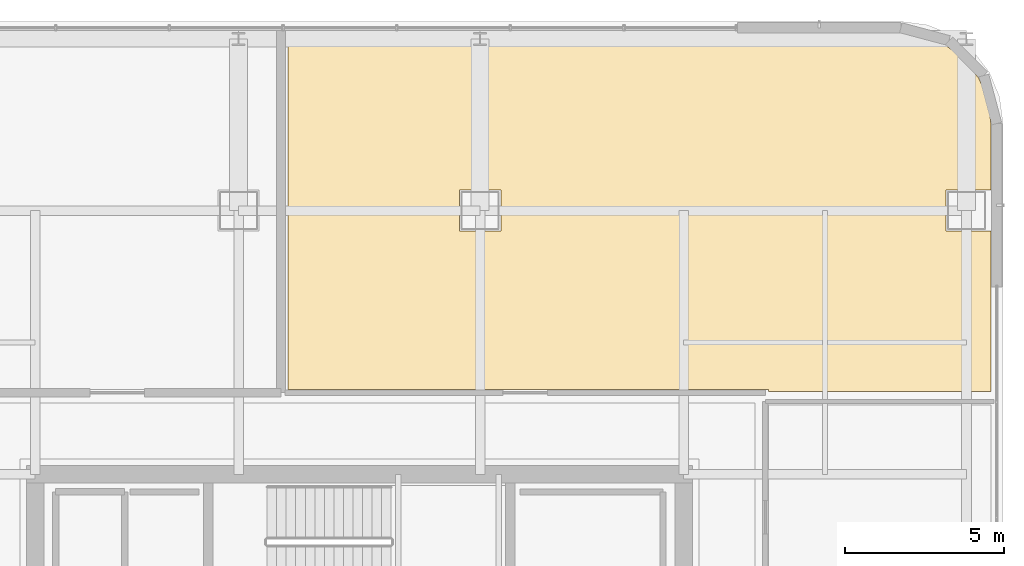
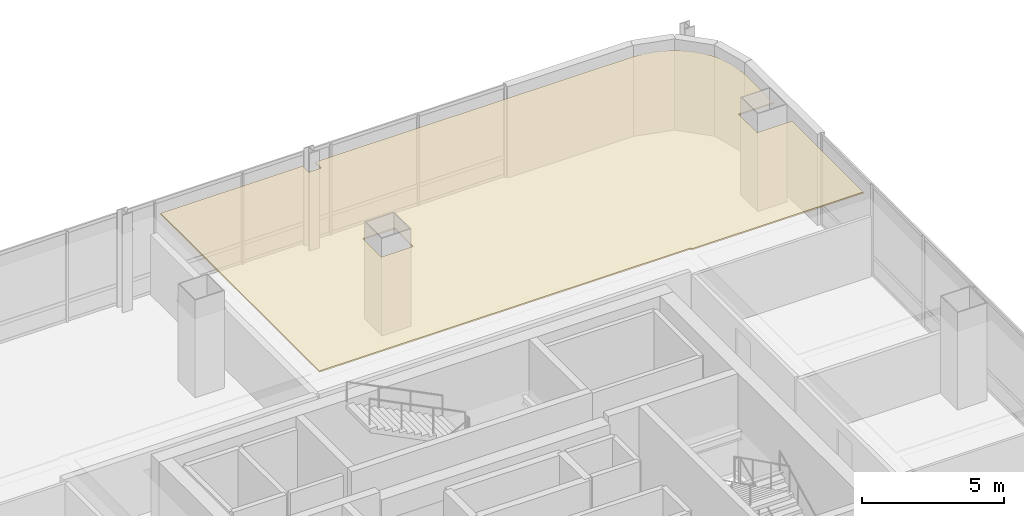
# One storey, part 50 of 51: 1 covering.
"""IFC4 building model written with IfcOpenShell, lengths in metres."""

import ifcopenshell
import ifcopenshell.guid

model = None  # the IFC model being written
_history = None  # IfcOwnerHistory: only IFC2X3 demands one
_inside = {}  # id of a spatial element -> (the spatial element, [elements in it])
_under = {}  # id of a project, library or spatial element -> (it, [spatial elements below it])
_declared = {}  # id of a project -> (the project, [libraries it declares])
_typed = {}  # id of a type object -> (the type object, [elements of that type])
_made_of = {}  # id of a material, layer set ... -> (it, [elements and type objects made of it])


def new_model(schema):
    """Start an empty IFC model of exactly this schema.

    Asked for "IFC4X3", IfcOpenShell would pick the latest addendum, in which some entities
    have other attributes; the version numbers below select the first issue.
    IFC2X3 requires an IfcOwnerHistory on every rooted entity: one is made here for all.
    """
    global model, _history
    if schema == "IFC4X3":
        model = ifcopenshell.file(schema_version=(4, 3, 0, 0))
    else:
        model = ifcopenshell.file(schema=schema)
    _inside.clear()
    _under.clear()
    _declared.clear()
    _typed.clear()
    _made_of.clear()
    _history = None
    if model.schema == "IFC2X3":
        org = make("IfcOrganization", Name="unknown")
        user = make(
            "IfcPersonAndOrganization",
            ThePerson=make("IfcPerson", FamilyName="unknown"),
            TheOrganization=org,
        )
        app = make(
            "IfcApplication",
            ApplicationDeveloper=org,
            Version="unknown",
            ApplicationFullName="unknown",
            ApplicationIdentifier="unknown",
        )
        _history = make(
            "IfcOwnerHistory",
            OwningUser=user,
            OwningApplication=app,
            ChangeAction="ADDED",
            CreationDate=0,
        )
    return model


def make(cls, **values):
    """One entity of the class cls with the attributes given. An attribute that is None is left unset."""
    return model.create_entity(
        cls, **{name: value for name, value in values.items() if value is not None}
    )


def rooted(cls, **values):
    """An entity with a GlobalId (a new one), such as an element, a storey or a relation."""
    return make(cls, GlobalId=ifcopenshell.guid.new(), OwnerHistory=_history, **values)


def si_unit(unit_type, name, prefix=None):
    """IfcSIUnit, for example si_unit("LENGTHUNIT", "METRE", prefix="MILLI")."""
    return make("IfcSIUnit", UnitType=unit_type, Prefix=prefix, Name=name)


def assignment(units):
    """IfcUnitAssignment: the units of a project."""
    return None if units is None else make("IfcUnitAssignment", Units=units)


def point(xyz):
    """IfcCartesianPoint."""
    return None if xyz is None else make("IfcCartesianPoint", Coordinates=xyz)


def direction(xyz):
    """IfcDirection."""
    return None if xyz is None else make("IfcDirection", DirectionRatios=xyz)


def frame(location, z_axis=None, x_axis=None):
    """IfcAxis2Placement3D, a coordinate frame: its origin and axes. An axis left out is left unset."""
    return make(
        "IfcAxis2Placement3D",
        Location=point(location),
        Axis=direction(z_axis),
        RefDirection=direction(x_axis),
    )


def origin():
    """The frame at (0, 0, 0) with its axes left unset."""
    return frame((0.0, 0.0, 0.0))


def place(relative_to, where):
    """IfcLocalPlacement: puts the frame where relative to a parent placement (None: the world)."""
    return make(
        "IfcLocalPlacement", PlacementRelTo=relative_to, RelativePlacement=where
    )


def context(
    kind, dimensions, precision=None, world=None, true_north=None, identifier=None
):
    """IfcGeometricRepresentationContext, for example the 3D "Model" context."""
    return make(
        "IfcGeometricRepresentationContext",
        ContextIdentifier=identifier,
        ContextType=kind,
        CoordinateSpaceDimension=dimensions,
        Precision=precision,
        WorldCoordinateSystem=world,
        TrueNorth=true_north,
    )


def subcontext(parent, identifier, kind, view, scale=None):
    """IfcGeometricRepresentationSubContext, for example "Body" below "Model"."""
    return make(
        "IfcGeometricRepresentationSubContext",
        ContextIdentifier=identifier,
        ContextType=kind,
        ParentContext=parent,
        TargetScale=scale,
        TargetView=view,
    )


def project(units=None, contexts=None):
    """IfcProject with its units and contexts."""
    return rooted(
        "IfcProject",
        Name="project",
        RepresentationContexts=contexts,
        UnitsInContext=assignment(units),
    )


def spatial(cls, under=None, at=None, **own):
    """A site, building, storey or space (cls), placed at a placement, below another one or the project."""
    s = rooted(cls, ObjectPlacement=at, **own)
    if under is not None:
        _under.setdefault(under.id(), (under, []))[1].append(s)
    return s


def polyline(points):
    """IfcPolyline through the points."""
    return make("IfcPolyline", Points=[point(p) for p in points])


def outline(outer, holes=None, kind="AREA"):
    """IfcArbitraryClosedProfileDef: a profile drawn as a closed curve; with holes, ...WithVoids."""
    if holes is None:
        return make("IfcArbitraryClosedProfileDef", ProfileType=kind, OuterCurve=outer)
    return make(
        "IfcArbitraryProfileDefWithVoids",
        ProfileType=kind,
        OuterCurve=outer,
        InnerCurves=holes,
    )


def extrude(swept, where, along, depth):
    """IfcExtrudedAreaSolid: the profile swept, set in the frame where, extruded along a direction by depth."""
    return make(
        "IfcExtrudedAreaSolid",
        SweptArea=swept,
        Position=where,
        ExtrudedDirection=direction(along),
        Depth=depth,
    )


def shape(context_of_items, identifier, shape_type, items):
    """IfcShapeRepresentation: the items that make up one representation, for example the "Body"."""
    return make(
        "IfcShapeRepresentation",
        ContextOfItems=context_of_items,
        RepresentationIdentifier=identifier,
        RepresentationType=shape_type,
        Items=items,
    )


def material(Name=None, Category=None):
    """IfcMaterial."""
    return make("IfcMaterial", Name=Name, Category=Category)


def layer(
    of_material, thickness, ventilated=None, Name=None, Category=None, Priority=None
):
    """IfcMaterialLayer: one layer of a wall or slab, of a material (None: an air gap)."""
    return make(
        "IfcMaterialLayer",
        Material=of_material,
        LayerThickness=thickness,
        IsVentilated=ventilated,
        Name=Name,
        Category=Category,
        Priority=Priority,
    )


def layer_set(layers, Name=None):
    """IfcMaterialLayerSet."""
    return make("IfcMaterialLayerSet", MaterialLayers=layers, LayerSetName=Name)


def made_of(thing, what):
    """Note that an element or type object is made of a material, layer set ...; save() writes the relation."""
    if what is not None:
        _made_of.setdefault(what.id(), (what, []))[1].append(thing)
    return thing


def type_object(cls, material=None, **own):
    """A type object (cls), such as IfcWallType, which elements share."""
    return made_of(rooted(cls, **own), material)


def element(
    cls,
    number,
    at=None,
    inside=None,
    cuts=None,
    type_object=None,
    material=None,
    context=None,
    identifier="Body",
    shape_type=None,
    held_by="IfcProductDefinitionShape",
    body=None,
    shapes=None,
    **own,
):
    """One element of the class cls, such as IfcWall. Its Tag is "e" and its number.

    at: its placement. inside: the storey or other place that contains it. cuts: it is an
    opening in that element (IfcRelVoidsElement). A single representation is given by context,
    identifier, shape_type and body (its items); several are given by shapes. held_by: the class
    of the entity that holds the representations. save() writes the other relations.
    """
    e = rooted(cls, Tag="e%d" % number, ObjectPlacement=at, **own)
    if body is not None:
        shapes = [shape(context, identifier, shape_type, body)]
    if shapes is not None:
        e.Representation = make(held_by, Representations=shapes)
    if inside is not None:
        _inside.setdefault(inside.id(), (inside, []))[1].append(e)
    if cuts is not None:
        rooted(
            "IfcRelVoidsElement", RelatingBuildingElement=cuts, RelatedOpeningElement=e
        )
    if type_object is not None:
        _typed.setdefault(type_object.id(), (type_object, []))[1].append(e)
    return made_of(e, material)


def aggregate(whole, parts):
    """IfcRelAggregates: a whole, such as a stair, and the parts it consists of."""
    return rooted("IfcRelAggregates", RelatingObject=whole, RelatedObjects=parts)


def save(model, path):
    """Write the relations noted so far, then the file.

    IfcRelAggregates (storeys below a building ...), IfcRelContainedInSpatialStructure (elements
    in a storey), IfcRelDefinesByType, IfcRelAssociatesMaterial and IfcRelDeclares: one each for
    every whole, place, type object, material and project.
    """
    for whole, parts in _under.values():
        aggregate(whole, parts)
    for where, things in _inside.values():
        rooted(
            "IfcRelContainedInSpatialStructure",
            RelatedElements=things,
            RelatingStructure=where,
        )
    for kind, things in _typed.values():
        rooted("IfcRelDefinesByType", RelatedObjects=things, RelatingType=kind)
    for what, things in _made_of.values():
        rooted("IfcRelAssociatesMaterial", RelatedObjects=things, RelatingMaterial=what)
    for by, libraries in _declared.values():
        rooted("IfcRelDeclares", RelatingContext=by, RelatedDefinitions=libraries)
    model.write(path)


model = new_model("IFC4")

# Units and contexts
model_context = context("Model", 3, precision=1e-05, world=origin(), true_north=direction((0.0, 1.0)))
body_context = subcontext(model_context, "Body", "Model", "MODEL_VIEW")
ifc_project = project(units=[si_unit("LENGTHUNIT", "METRE"), si_unit("AREAUNIT", "SQUARE_METRE"), si_unit("VOLUMEUNIT", "CUBIC_METRE"), si_unit("PLANEANGLEUNIT", "RADIAN"), si_unit("MASSUNIT", "GRAM", prefix="KILO")], contexts=[model_context])

# Site, building, storey
site_placement = place(None, origin())
site = spatial("IfcSite", under=ifc_project, at=site_placement, CompositionType="ELEMENT")
building_placement = place(site_placement, origin())
building = spatial("IfcBuilding", under=site, at=building_placement, Name="Punatoya Terracotta Tower", CompositionType="ELEMENT")
storey_placement = place(building_placement, frame((0.0, 0.0, 313.199951171875)))
storey = spatial("IfcBuildingStorey", under=building, at=storey_placement, Name="L74", CompositionType="ELEMENT", Elevation=313.199951171875)

# Covering
ifc_material = material(Name="Acoustic Mineral Fibre Ceiling")
ifc_layer = layer(ifc_material, 0.06005859375)
ifc_layer_set = layer_set([ifc_layer], Name="Acoustic Mineral Fibre Ceiling")
covering_type = type_object("IfcCoveringType", Name="COV-CEIL-60", PredefinedType="CEILING", material=ifc_layer_set)
covering_placement = place(storey_placement, frame((0.0, 0.0, 3.39013671875)))
element("IfcCovering", 1, at=covering_placement, inside=storey, type_object=covering_type, Name="L74 Seminar Discussion Room Acoustic Ceiling", PredefinedType="CEILING", context=body_context, shape_type="SweptSolid", body=[
    extrude(outline(polyline([(12.8701171875, 11.81005859375), (19.8701171875, 11.81005859375), (19.8701171875, 16.85009765625), (18.449951171875, 16.85009765625), (18.449951171875, 18.14990234375), (19.8701171875, 18.14990234375), (19.8701171875, 20.22509765625), (19.770751953125, 20.97900390625), (19.489501953125, 21.658203125), (19.041748046875, 22.24169921875), (18.458251953125, 22.689453125), (17.779052734375, 22.970703125), (17.025146484375, 23.070068359375), (4.052978515625, 23.070068359375), (4.052978515625, 22.64208984375), (3.547119140625, 22.64208984375), (3.547119140625, 23.070068359375), (-2.239990234375, 23.070068359375), (-2.239990234375, 11.8701171875), (12.8701171875, 11.8701171875), (12.8701171875, 11.81005859375)]), holes=[polyline([(4.449951171875, 16.85009765625), (3.14990234375, 16.85009765625), (3.14990234375, 18.14990234375), (4.449951171875, 18.14990234375), (4.449951171875, 16.85009765625)])]), origin(), (0.0, 0.0, 1.0), 0.059814453125),
])

save(model, "model.ifc")
